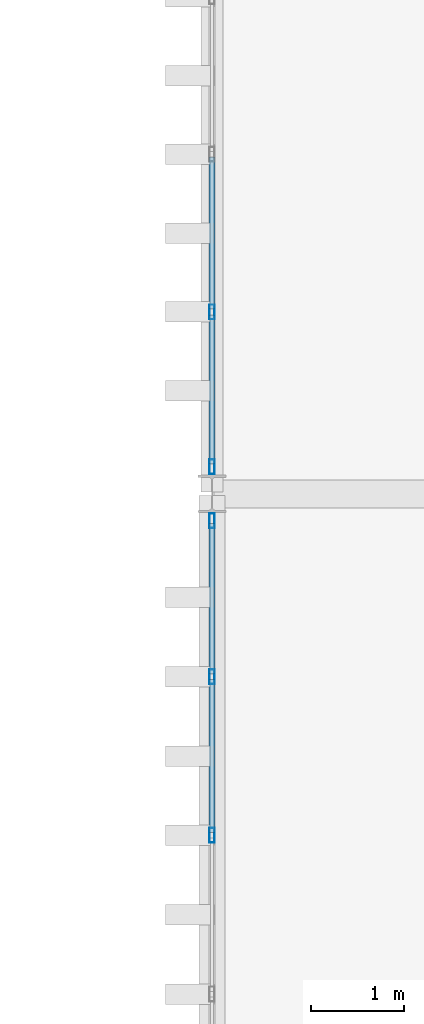
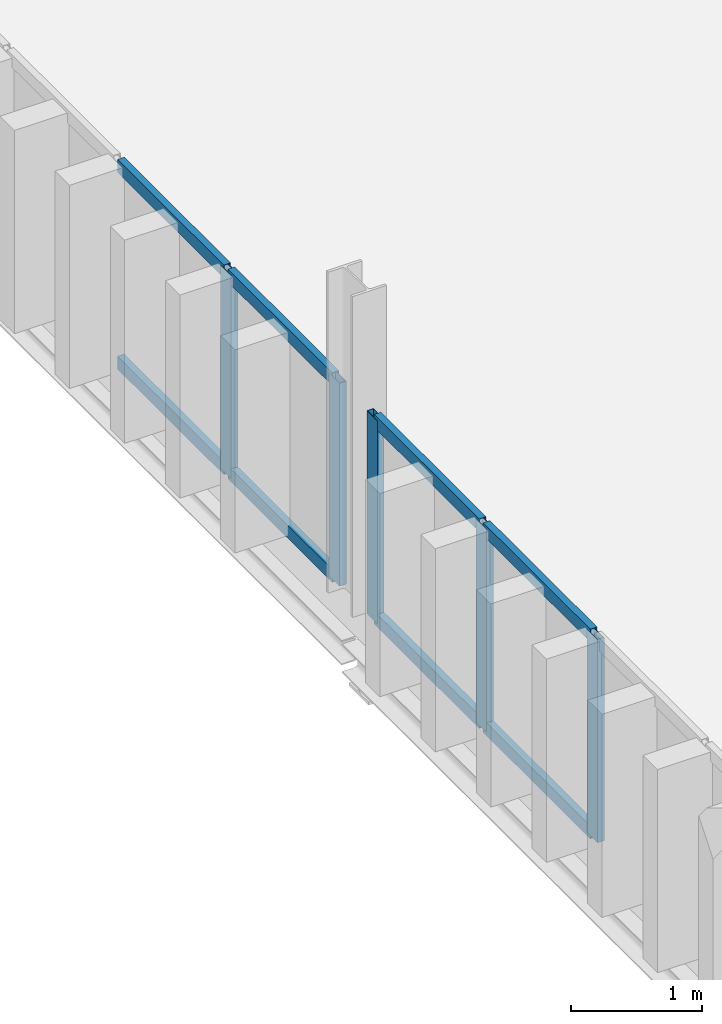
# One storey, part 33 of 58: 13 members, 2 elements without a shape of their own.
"""IFC4 building model written with IfcOpenShell, lengths in metres."""

from ifc_helpers import new_model, si_unit, direction, frame, origin, origin_2d, place, context, subcontext, project, spatial, hollow_rectangle, extrude, material, layer, layer_set, material_profile, profile_set, type_object, element, aggregate, save


model = new_model("IFC4")

# Units and contexts
model_context = context("Model", 3, precision=1e-05, world=origin(), true_north=direction((0.0, 1.0)))
body_context = subcontext(model_context, "Body", "Model", "MODEL_VIEW")
ifc_project = project(units=[si_unit("LENGTHUNIT", "METRE"), si_unit("AREAUNIT", "SQUARE_METRE"), si_unit("VOLUMEUNIT", "CUBIC_METRE"), si_unit("PLANEANGLEUNIT", "RADIAN"), si_unit("MASSUNIT", "GRAM", prefix="KILO")], contexts=[model_context])

# Site, building, storey
site_placement = place(None, origin())
site = spatial("IfcSite", under=ifc_project, at=site_placement, CompositionType="ELEMENT")
building_placement = place(site_placement, origin())
building = spatial("IfcBuilding", under=site, at=building_placement, Name="Barlavento Convention Centre", CompositionType="ELEMENT")
storey_placement = place(building_placement, frame((0.0, 0.0, 26.800048828125)))
storey = spatial("IfcBuildingStorey", under=building, at=storey_placement, Name="L05", CompositionType="ELEMENT", Elevation=26.800048828125)

# Curtain wall, members
ifc_material_1 = material(Name="Powder-coated aluminium and Low-E glass", Category="aluminium")
ifc_layer = layer(ifc_material_1, 0.18994140625)
ifc_layer_set = layer_set([ifc_layer], Name="ARC-CW-CONF-L05")
curtain_wall_type = type_object("IfcCurtainWallType", Name="ARC-CW-CONF-L05", PredefinedType="NOTDEFINED", material=ifc_layer_set)
curtain_wall_1_placement = place(storey_placement, origin())
curtain_wall_1 = element("IfcCurtainWall", 1, at=curtain_wall_1_placement, inside=storey, type_object=curtain_wall_type, Name="L05 unitised curtain wall CW10", PredefinedType="NOTDEFINED")
ifc_material_2 = material(Name="Powder-coated aluminium", Category="aluminium")
ifc_material_profile_1 = material_profile(ifc_material_2, hollow_rectangle(XDim=0.06005859375, YDim=0.159912109375, WallThickness=0.00390625, at=origin_2d()), Name="AL-MULL 60x160x4")
ifc_profile_set_1 = profile_set([ifc_material_profile_1], Name="Powder-coated aluminium")
member_type_1 = type_object("IfcMemberType", Name="ARC-CWM-60X160", PredefinedType="MULLION", material=ifc_profile_set_1)
member_1_placement = place(storey_placement, frame((171.0, 77.3359375, 0.0), z_axis=(0.0, 0.0, 1.0), x_axis=(-1.0, 0.0, 0.0)))
member_1 = element("IfcMember", 2, at=member_1_placement, type_object=member_type_1, Name="CW10 mullion 4", PredefinedType="MULLION", context=body_context, shape_type="SweptSolid", body=[
    extrude(hollow_rectangle(XDim=0.06005859375, YDim=0.159912109375, WallThickness=0.00390625, at=origin_2d()), origin(), (0.0, 0.0, 1.0), 1.89990234375),
])
member_2_placement = place(storey_placement, frame((171.0, 79.0380859375, 0.0), z_axis=(0.0, 0.0, 1.0), x_axis=(-1.0, 0.0, 0.0)))
member_2 = element("IfcMember", 3, at=member_2_placement, type_object=member_type_1, Name="CW10 mullion 5", PredefinedType="MULLION", context=body_context, shape_type="SweptSolid", body=[
    extrude(hollow_rectangle(XDim=0.06005859375, YDim=0.159912109375, WallThickness=0.00390625, at=origin_2d()), origin(), (0.0, 0.0, 1.0), 1.89990234375),
])
member_3_placement = place(storey_placement, frame((171.0, 80.7099609375, 0.0), z_axis=(0.0, 0.0, 1.0), x_axis=(-1.0, 0.0, 0.0)))
member_3 = element("IfcMember", 4, at=member_3_placement, type_object=member_type_1, Name="CW10 mullion 6", PredefinedType="MULLION", context=body_context, shape_type="SweptSolid", body=[
    extrude(hollow_rectangle(XDim=0.06005859375, YDim=0.159912109375, WallThickness=0.00390625, at=origin_2d()), origin(), (0.0, 0.0, 1.0), 1.89990234375),
])

curtain_wall_2_placement = place(storey_placement, origin())
curtain_wall_2 = element("IfcCurtainWall", 5, at=curtain_wall_2_placement, inside=storey, type_object=curtain_wall_type, Name="L05 unitised curtain wall CW10", PredefinedType="NOTDEFINED")
member_4_placement = place(storey_placement, frame((171.0, 81.2900390625, 0.0), z_axis=(0.0, 0.0, 1.0), x_axis=(-1.0, 0.0, 0.0)))
member_4 = element("IfcMember", 6, at=member_4_placement, type_object=member_type_1, Name="CW10 mullion 1", PredefinedType="MULLION", context=body_context, shape_type="SweptSolid", body=[
    extrude(hollow_rectangle(XDim=0.06005859375, YDim=0.159912109375, WallThickness=0.00390625, at=origin_2d()), origin(), (0.0, 0.0, 1.0), 1.89990234375),
])
member_5_placement = place(storey_placement, frame((171.0, 82.950927734375, 0.0), z_axis=(0.0, 0.0, 1.0), x_axis=(-1.0, 0.0, 0.0)))
member_5 = element("IfcMember", 7, at=member_5_placement, type_object=member_type_1, Name="CW10 mullion 2", PredefinedType="MULLION", context=body_context, shape_type="SweptSolid", body=[
    extrude(hollow_rectangle(XDim=0.06005859375, YDim=0.159912109375, WallThickness=0.00390625, at=origin_2d()), origin(), (0.0, 0.0, 1.0), 1.89990234375),
])

# Member
ifc_material_profile_2 = material_profile(ifc_material_2, hollow_rectangle(XDim=0.06005859375, YDim=0.1201171875, WallThickness=0.00390625, at=origin_2d()), Name="AL-TRAN 60x120x4")
ifc_profile_set_2 = profile_set([ifc_material_profile_2], Name="Powder-coated aluminium")
member_type_2 = type_object("IfcMemberType", Name="ARC-CWT-60X120", PredefinedType="USERDEFINED", material=ifc_profile_set_2)
member_6_placement = place(storey_placement, frame((171.0, 77.365966796875, 0.030029296875), z_axis=(0.0, 1.0, 0.0), x_axis=(-1.0, 0.0, 0.0)))
member_6 = element("IfcMember", 8, at=member_6_placement, type_object=member_type_2, Name="CW10 transom 4.1", ObjectType="TRANSOM", PredefinedType="USERDEFINED", context=body_context, shape_type="SweptSolid", body=[
    extrude(hollow_rectangle(XDim=0.06005859375, YDim=0.1201171875, WallThickness=0.00390625, at=origin_2d()), origin(), (0.0, 0.0, 1.0), 1.64208984375),
])

member_7_placement = place(storey_placement, frame((171.0, 77.365966796875, 1.869873046875), z_axis=(0.0, 1.0, 0.0), x_axis=(-1.0, 0.0, 0.0)))
member_7 = element("IfcMember", 9, at=member_7_placement, type_object=member_type_2, Name="CW10 transom 4.2", ObjectType="TRANSOM", PredefinedType="USERDEFINED", context=body_context, shape_type="SweptSolid", body=[
    extrude(hollow_rectangle(XDim=0.06005859375, YDim=0.1201171875, WallThickness=0.00390625, at=origin_2d()), origin(), (0.0, 0.0, 1.0), 1.64208984375),
])

member_8_placement = place(storey_placement, frame((171.0, 79.068115234375, 0.030029296875), z_axis=(0.0, 1.0, 0.0), x_axis=(-1.0, 0.0, 0.0)))
member_8 = element("IfcMember", 10, at=member_8_placement, type_object=member_type_2, Name="CW10 transom 5.1", ObjectType="TRANSOM", PredefinedType="USERDEFINED", context=body_context, shape_type="SweptSolid", body=[
    extrude(hollow_rectangle(XDim=0.06005859375, YDim=0.1201171875, WallThickness=0.00390625, at=origin_2d()), origin(), (0.0, 0.0, 1.0), 1.61181640625),
])

member_9_placement = place(storey_placement, frame((171.0, 79.068115234375, 1.869873046875), z_axis=(0.0, 1.0, 0.0), x_axis=(-1.0, 0.0, 0.0)))
member_9 = element("IfcMember", 11, at=member_9_placement, type_object=member_type_2, Name="CW10 transom 5.2", ObjectType="TRANSOM", PredefinedType="USERDEFINED", context=body_context, shape_type="SweptSolid", body=[
    extrude(hollow_rectangle(XDim=0.06005859375, YDim=0.1201171875, WallThickness=0.00390625, at=origin_2d()), origin(), (0.0, 0.0, 1.0), 1.61181640625),
])

aggregate(curtain_wall_1, [member_1, member_2, member_3, member_6, member_7, member_8, member_9])

member_10_placement = place(storey_placement, frame((171.0, 81.320068359375, 0.030029296875), z_axis=(0.0, 1.0, 0.0), x_axis=(-1.0, 0.0, 0.0)))
member_10 = element("IfcMember", 12, at=member_10_placement, type_object=member_type_2, Name="CW10 transom 1.1", ObjectType="TRANSOM", PredefinedType="USERDEFINED", context=body_context, shape_type="SweptSolid", body=[
    extrude(hollow_rectangle(XDim=0.06005859375, YDim=0.1201171875, WallThickness=0.00390625, at=origin_2d()), origin(), (0.0, 0.0, 1.0), 1.600830078125),
])

member_11_placement = place(storey_placement, frame((171.0, 81.320068359375, 1.869873046875), z_axis=(0.0, 1.0, 0.0), x_axis=(-1.0, 0.0, 0.0)))
member_11 = element("IfcMember", 13, at=member_11_placement, type_object=member_type_2, Name="CW10 transom 1.2", ObjectType="TRANSOM", PredefinedType="USERDEFINED", context=body_context, shape_type="SweptSolid", body=[
    extrude(hollow_rectangle(XDim=0.06005859375, YDim=0.1201171875, WallThickness=0.00390625, at=origin_2d()), origin(), (0.0, 0.0, 1.0), 1.600830078125),
])

member_12_placement = place(storey_placement, frame((171.0, 82.98095703125, 0.030029296875), z_axis=(0.0, 1.0, 0.0), x_axis=(-1.0, 0.0, 0.0)))
member_12 = element("IfcMember", 14, at=member_12_placement, type_object=member_type_2, Name="CW10 transom 2.1", ObjectType="TRANSOM", PredefinedType="USERDEFINED", context=body_context, shape_type="SweptSolid", body=[
    extrude(hollow_rectangle(XDim=0.06005859375, YDim=0.1201171875, WallThickness=0.00390625, at=origin_2d()), origin(), (0.0, 0.0, 1.0), 1.631103515625),
])

member_13_placement = place(storey_placement, frame((171.0, 82.98095703125, 1.869873046875), z_axis=(0.0, 1.0, 0.0), x_axis=(-1.0, 0.0, 0.0)))
member_13 = element("IfcMember", 15, at=member_13_placement, type_object=member_type_2, Name="CW10 transom 2.2", ObjectType="TRANSOM", PredefinedType="USERDEFINED", context=body_context, shape_type="SweptSolid", body=[
    extrude(hollow_rectangle(XDim=0.06005859375, YDim=0.1201171875, WallThickness=0.00390625, at=origin_2d()), origin(), (0.0, 0.0, 1.0), 1.631103515625),
])

aggregate(curtain_wall_2, [member_4, member_5, member_10, member_11, member_12, member_13])

save(model, "model.ifc")
